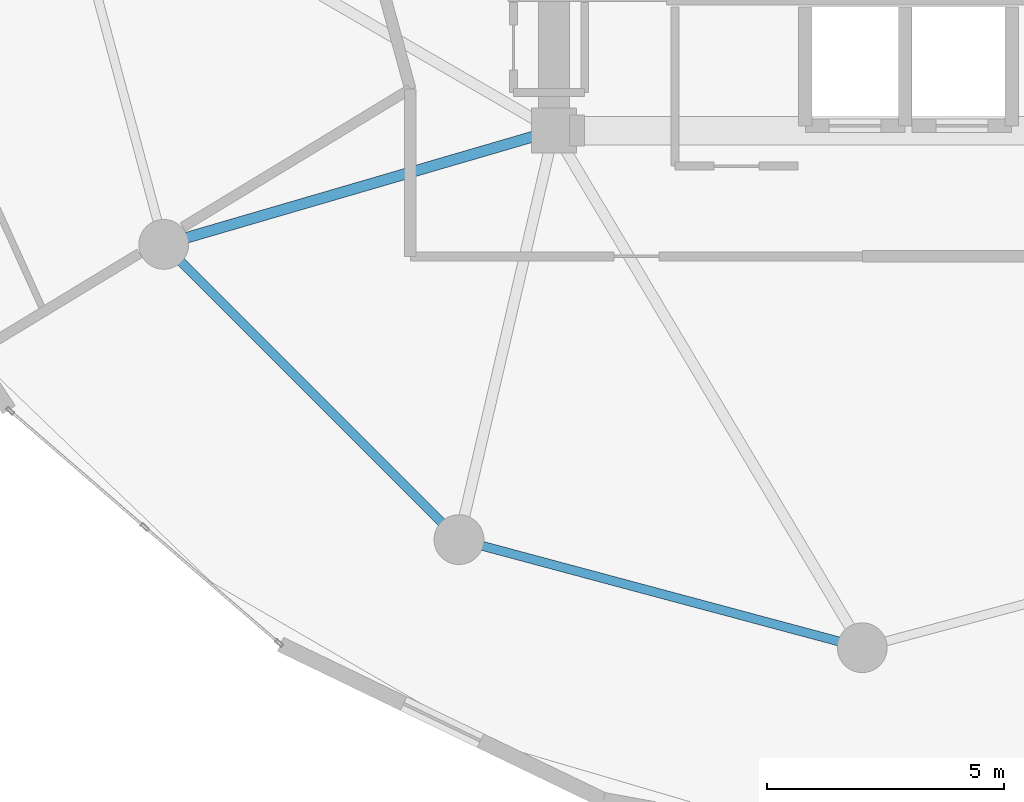
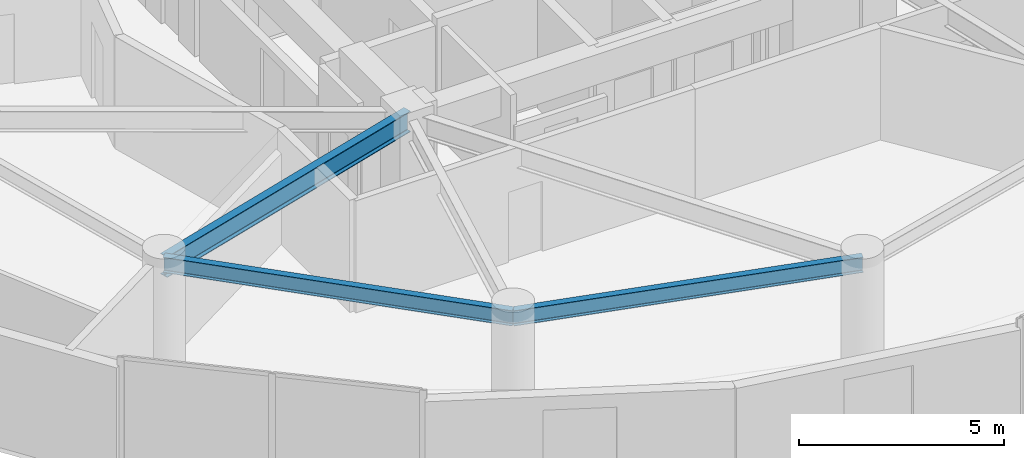
# One storey, part 3 of 26: 3 beams.
"""IFC4 building model written with IfcOpenShell, lengths in metres."""

from ifc_helpers import new_model, si_unit, direction, frame, origin, origin_2d, place, context, subcontext, project, spatial, i_section, extrude, material, material_profile, profile_set, type_object, element, save


model = new_model("IFC4")

# Units and contexts
model_context = context("Model", 3, precision=1e-05, world=origin(), true_north=direction((0.0, 1.0)))
body_context = subcontext(model_context, "Body", "Model", "MODEL_VIEW")
ifc_project = project(units=[si_unit("LENGTHUNIT", "METRE"), si_unit("AREAUNIT", "SQUARE_METRE"), si_unit("VOLUMEUNIT", "CUBIC_METRE"), si_unit("PLANEANGLEUNIT", "RADIAN"), si_unit("MASSUNIT", "GRAM", prefix="KILO")], contexts=[model_context])

# Site, building, storey
site_placement = place(None, origin())
site = spatial("IfcSite", under=ifc_project, at=site_placement, CompositionType="ELEMENT")
building_placement = place(site_placement, origin())
building = spatial("IfcBuilding", under=site, at=building_placement, Name="Solvirekh Grand Hotel", CompositionType="ELEMENT")
storey_placement = place(building_placement, frame((0.0, 0.0, 113.39990234375)))
storey = spatial("IfcBuildingStorey", under=building, at=storey_placement, Name="L28", CompositionType="ELEMENT", Elevation=113.39990234375)

# Beams
ifc_material = material(Name="Steel S355", Category="steel")
ifc_material_profile_1 = material_profile(ifc_material, i_section(OverallWidth=0.22802734375, OverallDepth=0.616943359375, WebThickness=0.012939453125, FlangeThickness=0.02001953125, FilletRadius=0.014892578125, at=origin_2d()), Name="W610X140")
ifc_profile_set_1 = profile_set([ifc_material_profile_1], Name="Steel S355")
beam_type_1 = type_object("IfcBeamType", Name="Beam_Radial_W610", PredefinedType="BEAM", material=ifc_profile_set_1)
beam_1_placement = place(storey_placement, frame((-6.5, -6.10009765625, 3.0419921875), z_axis=(-0.959942195467, -0.28019811092, 0.0), x_axis=(0.28019811092, -0.959942195467, 0.0)))
element("IfcBeam", 1, at=beam_1_placement, inside=storey, type_object=beam_type_1, Name="L28 radial floor beam R08", PredefinedType="BEAM", context=body_context, shape_type="SweptSolid", body=[
    extrude(i_section(OverallWidth=0.22802734375, OverallDepth=0.616943359375, WebThickness=0.012939453125, FlangeThickness=0.02001953125, FilletRadius=0.014892578125, at=origin_2d()), origin(), (0.0, 0.0, 1.0), 8.56494140625),
])
ifc_material_profile_2 = material_profile(ifc_material, i_section(OverallWidth=0.18994140625, OverallDepth=0.45703125, WebThickness=0.009033203125, FlangeThickness=0.013916015625, FilletRadius=0.012939453125, at=origin_2d()), Name="W460X74")
ifc_profile_set_2 = profile_set([ifc_material_profile_2], Name="Steel S355")
beam_type_2 = type_object("IfcBeamType", Name="Spandrel_Ring_W460", PredefinedType="SPANDREL", material=ifc_profile_set_2)
beam_2_placement = place(storey_placement, frame((-14.721923828125, -8.5, 3.1220703125), z_axis=(0.707106781187, -0.707106781187, 0.0), x_axis=(0.707106781187, 0.707106781187, 0.0)))
element("IfcBeam", 2, at=beam_2_placement, inside=storey, type_object=beam_type_2, Name="L28 perimeter spandrel beam 8", PredefinedType="SPANDREL", context=body_context, shape_type="SweptSolid", body=[
    extrude(i_section(OverallWidth=0.18994140625, OverallDepth=0.45703125, WebThickness=0.009033203125, FlangeThickness=0.013916015625, FilletRadius=0.012939453125, at=origin_2d()), origin(), (0.0, 0.0, 1.0), 8.799072265625),
])
beam_3_placement = place(storey_placement, frame((-8.5, -14.721923828125, 3.1220703125), z_axis=(0.965911391906, -0.258872908946, 0.0), x_axis=(0.258872908946, 0.965911391906, 0.0)))
element("IfcBeam", 3, at=beam_3_placement, inside=storey, type_object=beam_type_2, Name="L28 perimeter spandrel beam 9", PredefinedType="SPANDREL", context=body_context, shape_type="SweptSolid", body=[
    extrude(i_section(OverallWidth=0.18994140625, OverallDepth=0.45703125, WebThickness=0.009033203125, FlangeThickness=0.013916015625, FilletRadius=0.012939453125, at=origin_2d()), origin(), (0.0, 0.0, 1.0), 8.800048828125),
])

save(model, "model.ifc")
